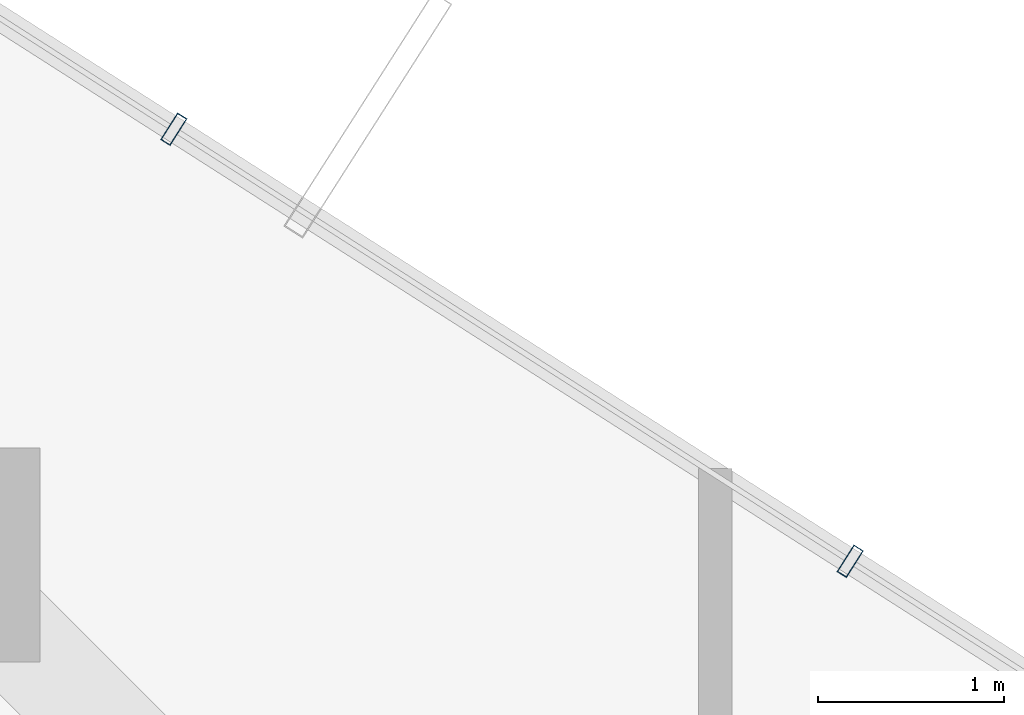
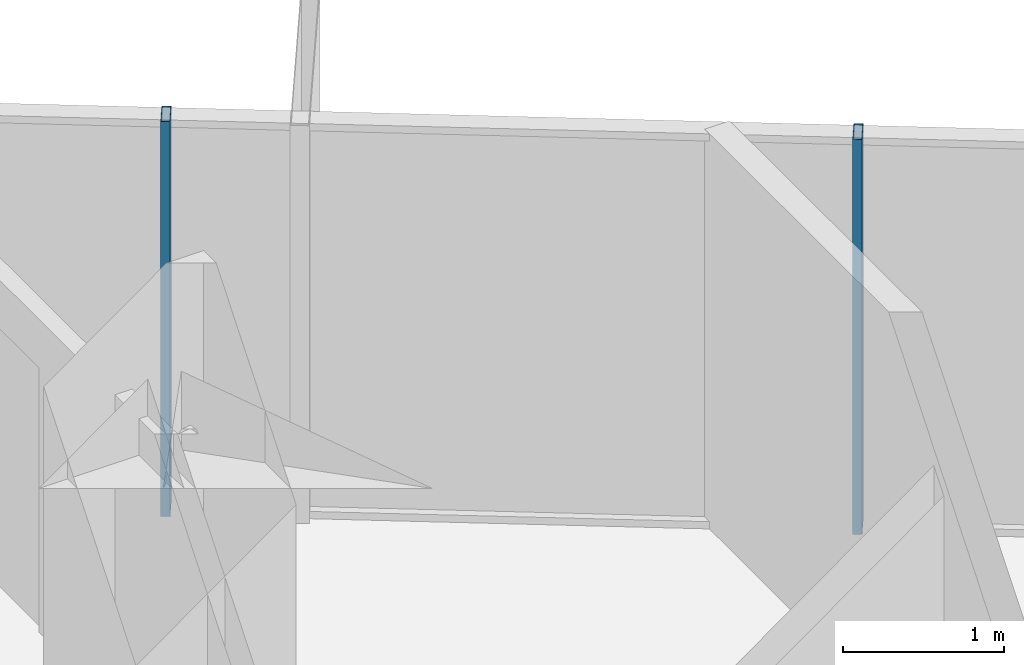
# One storey, part 21 of 30: 2 members, 1 element without a shape of its own.
"""IFC4 building model written with IfcOpenShell, lengths in metres."""

from ifc_helpers import new_model, si_unit, direction, frame, origin, origin_2d, place, context, subcontext, project, spatial, hollow_rectangle, extrude, source, transform, mapped, material, layer, layer_set, material_profile, profile_set, type_object, element, aggregate, save


model = new_model("IFC4")

# Units and contexts
model_context = context("Model", 3, precision=1e-05, world=origin(), true_north=direction((0.0, 1.0)))
body_context = subcontext(model_context, "Body", "Model", "MODEL_VIEW")
ifc_project = project(units=[si_unit("LENGTHUNIT", "METRE"), si_unit("AREAUNIT", "SQUARE_METRE"), si_unit("VOLUMEUNIT", "CUBIC_METRE"), si_unit("PLANEANGLEUNIT", "RADIAN"), si_unit("MASSUNIT", "GRAM", prefix="KILO")], contexts=[model_context])

# Site, building, storey
site_placement = place(None, origin())
site = spatial("IfcSite", under=ifc_project, at=site_placement, CompositionType="ELEMENT")
building_placement = place(site_placement, origin())
building = spatial("IfcBuilding", under=site, at=building_placement, Name="Veraguas Prism Commons", CompositionType="ELEMENT")
storey_placement = place(building_placement, frame((0.0, 0.0, 119.75)))
storey = spatial("IfcBuildingStorey", under=building, at=storey_placement, Name="L33", CompositionType="ELEMENT", Elevation=119.75)

# Curtain wall, members
ifc_material = material(Name="Anodised aluminium EN AW-6063 T6", Category="aluminium")
ifc_layer = layer(ifc_material, 0.169921875, Name="Unitised Flush Curtain Wall Zone 2", Category="aluminium")
ifc_layer_set = layer_set([ifc_layer], Name="Anodised aluminium EN AW-6063 T6")
curtain_wall_type = type_object("IfcCurtainWallType", Name="Unitised Flush Curtain Wall Zone 2", PredefinedType="NOTDEFINED", material=ifc_layer_set)
curtain_wall_placement = place(storey_placement, origin())
curtain_wall = element("IfcCurtainWall", 1, at=curtain_wall_placement, inside=storey, type_object=curtain_wall_type, Name="Tower Facade Curtain Wall L33-F1", PredefinedType="NOTDEFINED")
ifc_material_profile = material_profile(ifc_material, hollow_rectangle(XDim=0.06005859375, YDim=0.169921875, WallThickness=0.00390625, at=origin_2d()), Name="AL60X170X4")
ifc_profile_set = profile_set([ifc_material_profile], Name="Anodised aluminium EN AW-6063 T6")
member_type = type_object("IfcMemberType", Name="Curtain Wall Mullion Lower AL 60x170x4", PredefinedType="MULLION", material=ifc_profile_set)
shared_shape = source(origin(), body_context, "Body", "SweptSolid", [
    extrude(hollow_rectangle(XDim=0.06005859375, YDim=0.169921875, WallThickness=0.00390625, at=origin_2d()), origin(), (0.0, 0.0, 1.0), 3.0),
])
member_1_placement = place(storey_placement, frame((34.32373046875, 40.16748046875, 0.0), z_axis=(0.0, 0.0, 1.0), x_axis=(-0.842827385334, 0.538183982047, 0.0)))
member_1 = element("IfcMember", 2, at=member_1_placement, type_object=member_type, Name="CW-Z2 Mullion 3", PredefinedType="MULLION", context=body_context, shape_type="MappedRepresentation", body=[
    mapped(shared_shape, transform((0.0, 0.0, 0.0), scale=1.0)),
])
member_2_placement = place(storey_placement, frame((30.6923828125, 42.486328125, 0.0), z_axis=(0.0, 0.0, 1.0), x_axis=(-0.842827385334, 0.538183982047, 0.0)))
member_2 = element("IfcMember", 3, at=member_2_placement, type_object=member_type, Name="CW-Z2 Mullion 4", PredefinedType="MULLION", context=body_context, shape_type="MappedRepresentation", body=[
    mapped(shared_shape, transform((0.0, 0.0, 0.0), scale=1.0)),
])
aggregate(curtain_wall, [member_1, member_2])

save(model, "model.ifc")
